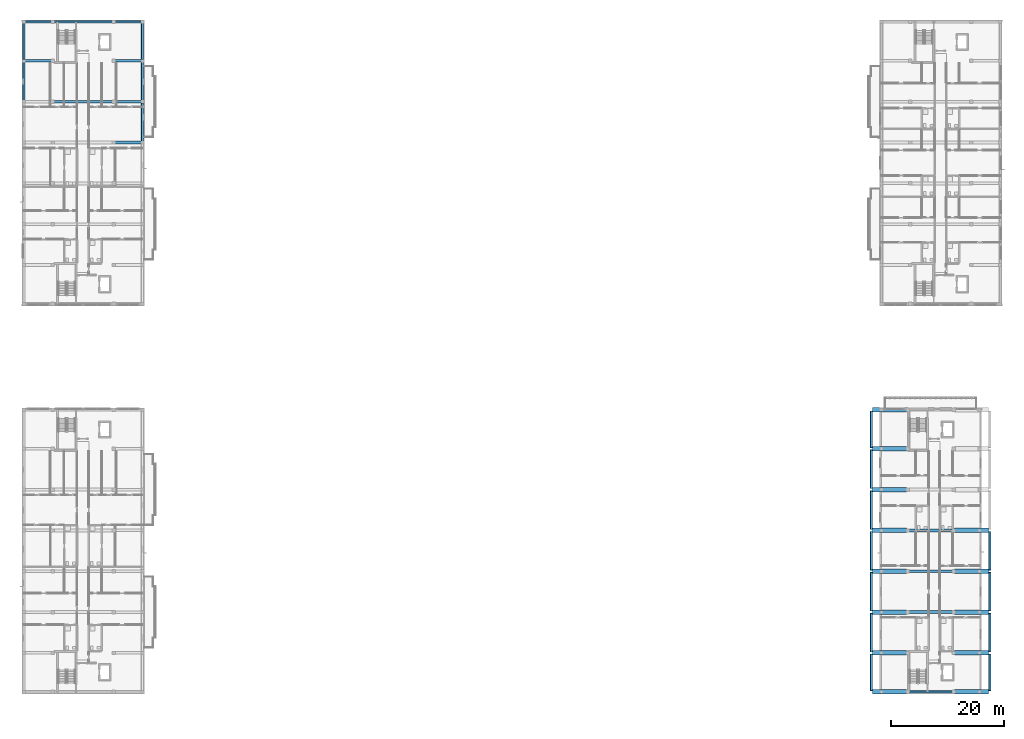
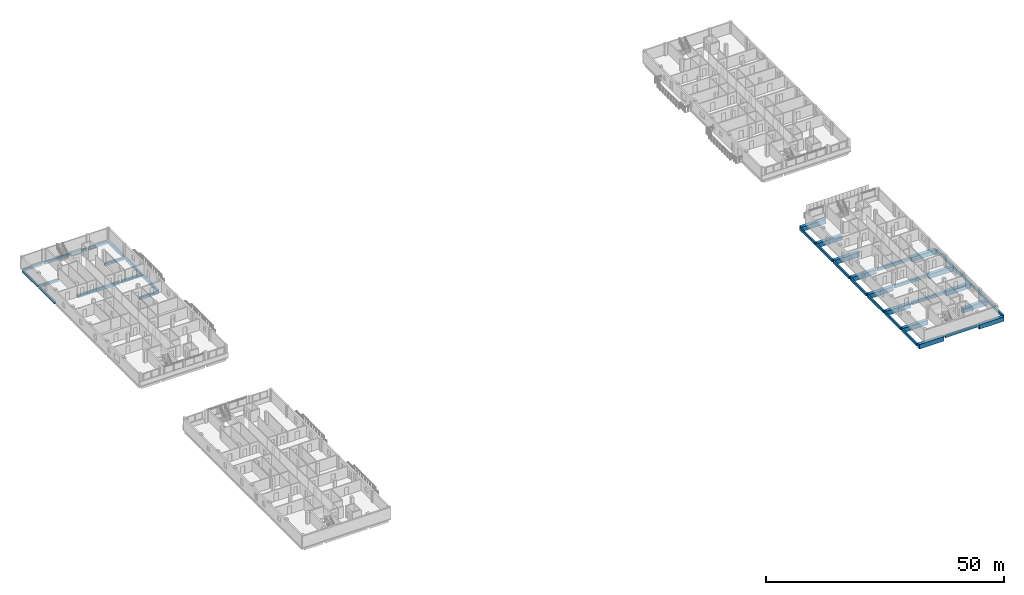
# One storey, part 6 of 41: 41 beams.
"""IFC4 building model written with IfcOpenShell, lengths in metres."""

from ifc_helpers import new_model, si_unit, derived_unit, direction, frame, origin, origin_2d, place, context, subcontext, project, spatial, rectangle, extrude, material, material_profile, profile_set, type_object, element, save


model = new_model("IFC4")

# Units and contexts
model_context = context("Model", 3, precision=1e-05, world=origin(), true_north=direction((0.0, 1.0)))
body_context = subcontext(model_context, "Body", "Model", "MODEL_VIEW")
ifc_project = project(units=[si_unit("LENGTHUNIT", "METRE"), si_unit("AREAUNIT", "SQUARE_METRE"), si_unit("VOLUMEUNIT", "CUBIC_METRE"), si_unit("PLANEANGLEUNIT", "RADIAN"), si_unit("MASSUNIT", "GRAM", prefix="KILO"), derived_unit("THERMALTRANSMITTANCEUNIT", [(si_unit("MASSUNIT", "GRAM", prefix="KILO"), 1), (si_unit("TIMEUNIT", "SECOND"), -3), (si_unit("THERMODYNAMICTEMPERATUREUNIT", "KELVIN"), -1)])], contexts=[model_context])

# Site, building, storey
site_placement = place(None, origin())
site = spatial("IfcSite", under=ifc_project, at=site_placement, CompositionType="ELEMENT")
building_placement = place(site_placement, origin())
building = spatial("IfcBuilding", under=site, at=building_placement, Name="Ochrekiln Boulevard Commons", CompositionType="ELEMENT")
storey_placement = place(building_placement, frame((0.0, 0.0, 21.52490234375)))
storey = spatial("IfcBuildingStorey", under=building, at=storey_placement, Name="L06", CompositionType="ELEMENT", Elevation=21.52490234375)

# Beams
ifc_material_1 = material(Name="Concrete C35/45", Category="concrete")
ifc_material_profile_1 = material_profile(ifc_material_1, rectangle(XDim=0.449951171875, YDim=0.64990234375, at=origin_2d()), Name="RC-BM-450x650")
ifc_profile_set_1 = profile_set([ifc_material_profile_1], Name="Concrete C35/45")
beam_type_1 = type_object("IfcBeamType", Name="BM-RC-450x650", PredefinedType="BEAM", material=ifc_profile_set_1)
for number, where, z_axis, x_axis, name in (
    (1, (16.409912109375, 97.199951171875, -0.5849609375), (1.0, 0.0, 0.0), (0.0, 1.0, 0.0), "Block A L06 Beam B-4565 X14"),
    (2, (16.409912109375, 104.39990234375, -0.5849609375), (1.0, 0.0, 0.0), (0.0, 1.0, 0.0), "Block A L06 Beam B-4565 X17"),
):
    element("IfcBeam", number, at=place(storey_placement, frame(where, z_axis=z_axis, x_axis=x_axis)), inside=storey, type_object=beam_type_1, Name=name, PredefinedType="BEAM", context=body_context, shape_type="SweptSolid", body=[
        extrude(rectangle(XDim=0.449951171875, YDim=0.64990234375, at=origin_2d()), origin(), (0.0, 0.0, 1.0), 4.630126953125),
    ])
beam_1_placement = place(storey_placement, frame((0.56005859375, 111.60009765625, -0.5849609375), z_axis=(1.0, 0.0, 0.0), x_axis=(0.0, 1.0, 0.0)))
element("IfcBeam", 3, at=beam_1_placement, inside=storey, type_object=beam_type_1, Name="Block A L06 Beam B-4565 X18", PredefinedType="BEAM", context=body_context, shape_type="SweptSolid", body=[
    extrude(rectangle(XDim=0.449951171875, YDim=0.64990234375, at=origin_2d()), origin(), (0.0, 0.0, 1.0), 4.6298828125),
])
beam_2_placement = place(storey_placement, frame((16.409912109375, 111.60009765625, -0.5849609375), z_axis=(1.0, 0.0, 0.0), x_axis=(0.0, 1.0, 0.0)))
element("IfcBeam", 4, at=beam_2_placement, inside=storey, type_object=beam_type_1, Name="Block A L06 Beam B-4565 X19", PredefinedType="BEAM", context=body_context, shape_type="SweptSolid", body=[
    extrude(rectangle(XDim=0.449951171875, YDim=0.64990234375, at=origin_2d()), origin(), (0.0, 0.0, 1.0), 4.630126953125),
])
ifc_material_2 = material(Name="Concrete C40/50", Category="concrete")
ifc_material_profile_2 = material_profile(ifc_material_2, rectangle(XDim=0.5, YDim=0.699951171875, at=origin_2d()), Name="RC-BM-500x700")
ifc_profile_set_2 = profile_set([ifc_material_profile_2], Name="Concrete C40/50")
beam_type_2 = type_object("IfcBeamType", Name="BM-RC-500x700", PredefinedType="BEAM", material=ifc_profile_set_2)
beam_3_placement = place(storey_placement, frame((5.610107421875, 104.39990234375, -0.60986328125), z_axis=(1.0, 0.0, 0.0), x_axis=(0.0, 1.0, 0.0)))
element("IfcBeam", 5, at=beam_3_placement, inside=storey, type_object=beam_type_2, Name="Block A L06 Beam B-5070 X16", PredefinedType="BEAM", context=body_context, shape_type="SweptSolid", body=[
    extrude(rectangle(XDim=0.5, YDim=0.699951171875, at=origin_2d()), origin(), (0.0, 0.0, 1.0), 10.3798828125),
])
for number, where, z_axis, x_axis, name in (
    (6, (156.360107421875, 14.39990234375, -0.60986328125), (1.0, 0.0, 0.0), (0.0, 1.0, 0.0), "Block C L06 Beam B-5070 X7"),
    (7, (156.360107421875, 21.60009765625, -0.60986328125), (1.0, 0.0, 0.0), (0.0, 1.0, 0.0), "Block C L06 Beam B-5070 X10"),
    (8, (156.360107421875, 28.800048828125, -0.60986328125), (1.0, 0.0, 0.0), (0.0, 1.0, 0.0), "Block C L06 Beam B-5070 X13"),
):
    element("IfcBeam", number, at=place(storey_placement, frame(where, z_axis=z_axis, x_axis=x_axis)), inside=storey, type_object=beam_type_2, Name=name, PredefinedType="BEAM", context=body_context, shape_type="SweptSolid", body=[
        extrude(rectangle(XDim=0.5, YDim=0.699951171875, at=origin_2d()), origin(), (0.0, 0.0, 1.0), 7.679931640625),
    ])
ifc_material_profile_3 = material_profile(ifc_material_2, rectangle(XDim=0.800048828125, YDim=1.14990234375, at=origin_2d()), Name="RC-TRG-800x1150")
ifc_profile_set_3 = profile_set([ifc_material_profile_3], Name="Concrete C40/50")
beam_type_3 = type_object("IfcBeamType", Name="BM-TRG-800x1150", PredefinedType="BEAM", material=ifc_profile_set_3)
for number, where, z_axis, x_axis, name in (
    (9, (149.9599609375, 0.35009765625, -0.8349609375), (1.0, 0.0, 0.0), (0.0, 1.0, 0.0), "Block C L06 Beam TG-01 X1"),
    (10, (164.4599609375, 0.35009765625, -0.8349609375), (1.0, 0.0, 0.0), (0.0, 1.0, 0.0), "Block C L06 Beam TG-01 X3"),
    (11, (149.9599609375, 7.199951171875, -0.8349609375), (1.0, 0.0, 0.0), (0.0, 1.0, 0.0), "Block C L06 Beam TG-01 X4"),
    (12, (164.4599609375, 7.199951171875, -0.8349609375), (1.0, 0.0, 0.0), (0.0, 1.0, 0.0), "Block C L06 Beam TG-01 X5"),
    (13, (149.9599609375, 14.39990234375, -0.8349609375), (1.0, 0.0, 0.0), (0.0, 1.0, 0.0), "Block C L06 Beam TG-01 X6"),
    (14, (164.4599609375, 14.39990234375, -0.8349609375), (1.0, 0.0, 0.0), (0.0, 1.0, 0.0), "Block C L06 Beam TG-01 X8"),
    (15, (149.9599609375, 21.60009765625, -0.8349609375), (1.0, 0.0, 0.0), (0.0, 1.0, 0.0), "Block C L06 Beam TG-01 X9"),
    (16, (164.4599609375, 21.60009765625, -0.8349609375), (1.0, 0.0, 0.0), (0.0, 1.0, 0.0), "Block C L06 Beam TG-01 X11"),
    (17, (149.9599609375, 28.800048828125, -0.8349609375), (1.0, 0.0, 0.0), (0.0, 1.0, 0.0), "Block C L06 Beam TG-01 X12"),
    (18, (164.4599609375, 28.800048828125, -0.8349609375), (1.0, 0.0, 0.0), (0.0, 1.0, 0.0), "Block C L06 Beam TG-01 X14"),
    (19, (149.9599609375, 36.0, -0.8349609375), (1.0, 0.0, 0.0), (0.0, 1.0, 0.0), "Block C L06 Beam TG-01 X15"),
    (20, (149.9599609375, 43.199951171875, -0.8349609375), (1.0, 0.0, 0.0), (0.0, 1.0, 0.0), "Block C L06 Beam TG-01 X18"),
    (21, (149.9599609375, 50.050048828125, -0.8349609375), (1.0, 0.0, 0.0), (0.0, 1.0, 0.0), "Block C L06 Beam TG-01 X20"),
):
    element("IfcBeam", number, at=place(storey_placement, frame(where, z_axis=z_axis, x_axis=x_axis)), inside=storey, type_object=beam_type_3, Name=name, PredefinedType="BEAM", context=body_context, shape_type="SweptSolid", body=[
        extrude(rectangle(XDim=0.800048828125, YDim=1.14990234375, at=origin_2d()), origin(), (0.0, 0.0, 1.0), 5.97998046875),
    ])
ifc_material_profile_4 = material_profile(ifc_material_2, rectangle(XDim=0.35009765625, YDim=0.64990234375, at=origin_2d()), Name="RC-SPN-350x650")
ifc_profile_set_4 = profile_set([ifc_material_profile_4], Name="Concrete C40/50")
beam_type_4 = type_object("IfcBeamType", Name="SPN-RC-350x650", PredefinedType="SPANDREL", material=ifc_profile_set_4)
beam_4_placement = place(storey_placement, frame((0.56005859375, 118.449951171875, -0.5849609375), z_axis=(1.0, 0.0, 0.0), x_axis=(0.0, 1.0, 0.0)))
element("IfcBeam", 22, at=beam_4_placement, inside=storey, type_object=beam_type_4, Name="Block A L06 Beam SP-3565 X20", PredefinedType="SPANDREL", context=body_context, shape_type="SweptSolid", body=[
    extrude(rectangle(XDim=0.35009765625, YDim=0.64990234375, at=origin_2d()), origin(), (0.0, 0.0, 1.0), 4.6298828125),
])
beam_5_placement = place(storey_placement, frame((5.610107421875, 118.449951171875, -0.5849609375), z_axis=(1.0, 0.0, 0.0), x_axis=(0.0, 1.0, 0.0)))
element("IfcBeam", 23, at=beam_5_placement, inside=storey, type_object=beam_type_4, Name="Block A L06 Beam SP-3565 X21", PredefinedType="SPANDREL", context=body_context, shape_type="SweptSolid", body=[
    extrude(rectangle(XDim=0.35009765625, YDim=0.64990234375, at=origin_2d()), origin(), (0.0, 0.0, 1.0), 10.3798828125),
])
beam_6_placement = place(storey_placement, frame((16.409912109375, 118.449951171875, -0.5849609375), z_axis=(1.0, 0.0, 0.0), x_axis=(0.0, 1.0, 0.0)))
element("IfcBeam", 24, at=beam_6_placement, inside=storey, type_object=beam_type_4, Name="Block A L06 Beam SP-3565 X22", PredefinedType="SPANDREL", context=body_context, shape_type="SweptSolid", body=[
    extrude(rectangle(XDim=0.35009765625, YDim=0.64990234375, at=origin_2d()), origin(), (0.0, 0.0, 1.0), 4.630126953125),
])
beam_7_placement = place(storey_placement, frame((0.35009765625, 104.610107421875, -0.5849609375), z_axis=(0.0, 1.0, 0.0), x_axis=(-1.0, 0.0, 0.0)))
element("IfcBeam", 25, at=beam_7_placement, inside=storey, type_object=beam_type_4, Name="Block A L06 Beam SP-3565 Y28", PredefinedType="SPANDREL", context=body_context, shape_type="SweptSolid", body=[
    extrude(rectangle(XDim=0.35009765625, YDim=0.64990234375, at=origin_2d()), origin(), (0.0, 0.0, 1.0), 6.77978515625),
])
beam_8_placement = place(storey_placement, frame((0.35009765625, 111.81005859375, -0.5849609375), z_axis=(0.0, 1.0, 0.0), x_axis=(-1.0, 0.0, 0.0)))
element("IfcBeam", 26, at=beam_8_placement, inside=storey, type_object=beam_type_4, Name="Block A L06 Beam SP-3565 Y29", PredefinedType="SPANDREL", context=body_context, shape_type="SweptSolid", body=[
    extrude(rectangle(XDim=0.35009765625, YDim=0.64990234375, at=origin_2d()), origin(), (0.0, 0.0, 1.0), 6.429931640625),
])
beam_9_placement = place(storey_placement, frame((21.25, 97.409912109375, -0.5849609375), z_axis=(0.0, 1.0, 0.0), x_axis=(-1.0, 0.0, 0.0)))
element("IfcBeam", 27, at=beam_9_placement, inside=storey, type_object=beam_type_4, Name="Block A L06 Beam SP-3565 Y34", PredefinedType="SPANDREL", context=body_context, shape_type="SweptSolid", body=[
    extrude(rectangle(XDim=0.35009765625, YDim=0.64990234375, at=origin_2d()), origin(), (0.0, 0.0, 1.0), 6.780029296875),
])
beam_10_placement = place(storey_placement, frame((21.25, 104.610107421875, -0.5849609375), z_axis=(0.0, 1.0, 0.0), x_axis=(-1.0, 0.0, 0.0)))
element("IfcBeam", 28, at=beam_10_placement, inside=storey, type_object=beam_type_4, Name="Block A L06 Beam SP-3565 Y35", PredefinedType="SPANDREL", context=body_context, shape_type="SweptSolid", body=[
    extrude(rectangle(XDim=0.35009765625, YDim=0.64990234375, at=origin_2d()), origin(), (0.0, 0.0, 1.0), 6.77978515625),
])
beam_11_placement = place(storey_placement, frame((21.25, 111.81005859375, -0.5849609375), z_axis=(0.0, 1.0, 0.0), x_axis=(-1.0, 0.0, 0.0)))
element("IfcBeam", 29, at=beam_11_placement, inside=storey, type_object=beam_type_4, Name="Block A L06 Beam SP-3565 Y36", PredefinedType="SPANDREL", context=body_context, shape_type="SweptSolid", body=[
    extrude(rectangle(XDim=0.35009765625, YDim=0.64990234375, at=origin_2d()), origin(), (0.0, 0.0, 1.0), 6.429931640625),
])
beam_12_placement = place(storey_placement, frame((156.360107421875, 0.35009765625, -0.5849609375), z_axis=(1.0, 0.0, 0.0), x_axis=(0.0, 1.0, 0.0)))
element("IfcBeam", 30, at=beam_12_placement, inside=storey, type_object=beam_type_4, Name="Block C L06 Beam SP-3565 X2", PredefinedType="SPANDREL", context=body_context, shape_type="SweptSolid", body=[
    extrude(rectangle(XDim=0.35009765625, YDim=0.64990234375, at=origin_2d()), origin(), (0.0, 0.0, 1.0), 7.679931640625),
])
beam_13_placement = place(storey_placement, frame((149.75, 0.56005859375, -0.5849609375), z_axis=(0.0, 1.0, 0.0), x_axis=(-1.0, 0.0, 0.0)))
element("IfcBeam", 31, at=beam_13_placement, inside=storey, type_object=beam_type_4, Name="Block C L06 Beam SP-3565 Y23", PredefinedType="SPANDREL", context=body_context, shape_type="SweptSolid", body=[
    extrude(rectangle(XDim=0.35009765625, YDim=0.64990234375, at=origin_2d()), origin(), (0.0, 0.0, 1.0), 6.429931640625),
])
beam_14_placement = place(storey_placement, frame((149.75, 7.409912109375, -0.5849609375), z_axis=(0.0, 1.0, 0.0), x_axis=(-1.0, 0.0, 0.0)))
element("IfcBeam", 32, at=beam_14_placement, inside=storey, type_object=beam_type_4, Name="Block C L06 Beam SP-3565 Y24", PredefinedType="SPANDREL", context=body_context, shape_type="SweptSolid", body=[
    extrude(rectangle(XDim=0.35009765625, YDim=0.64990234375, at=origin_2d()), origin(), (0.0, 0.0, 1.0), 6.780029296875),
])
beam_15_placement = place(storey_placement, frame((149.75, 14.610107421875, -0.5849609375), z_axis=(0.0, 1.0, 0.0), x_axis=(-1.0, 0.0, 0.0)))
element("IfcBeam", 33, at=beam_15_placement, inside=storey, type_object=beam_type_4, Name="Block C L06 Beam SP-3565 Y25", PredefinedType="SPANDREL", context=body_context, shape_type="SweptSolid", body=[
    extrude(rectangle(XDim=0.35009765625, YDim=0.64990234375, at=origin_2d()), origin(), (0.0, 0.0, 1.0), 6.77978515625),
])
for number, where, z_axis, x_axis, name in (
    (34, (149.75, 21.81005859375, -0.5849609375), (0.0, 1.0, 0.0), (-1.0, 0.0, 0.0), "Block C L06 Beam SP-3565 Y26"),
    (35, (149.75, 29.010009765625, -0.5849609375), (0.0, 1.0, 0.0), (-1.0, 0.0, 0.0), "Block C L06 Beam SP-3565 Y27"),
    (36, (149.75, 36.2099609375, -0.5849609375), (0.0, 1.0, 0.0), (-1.0, 0.0, 0.0), "Block C L06 Beam SP-3565 Y28"),
):
    element("IfcBeam", number, at=place(storey_placement, frame(where, z_axis=z_axis, x_axis=x_axis)), inside=storey, type_object=beam_type_4, Name=name, PredefinedType="SPANDREL", context=body_context, shape_type="SweptSolid", body=[
        extrude(rectangle(XDim=0.35009765625, YDim=0.64990234375, at=origin_2d()), origin(), (0.0, 0.0, 1.0), 6.780029296875),
    ])
beam_16_placement = place(storey_placement, frame((149.75, 43.409912109375, -0.5849609375), z_axis=(0.0, 1.0, 0.0), x_axis=(-1.0, 0.0, 0.0)))
element("IfcBeam", 37, at=beam_16_placement, inside=storey, type_object=beam_type_4, Name="Block C L06 Beam SP-3565 Y29", PredefinedType="SPANDREL", context=body_context, shape_type="SweptSolid", body=[
    extrude(rectangle(XDim=0.35009765625, YDim=0.64990234375, at=origin_2d()), origin(), (0.0, 0.0, 1.0), 6.43017578125),
])
beam_17_placement = place(storey_placement, frame((170.64990234375, 0.56005859375, -0.5849609375), z_axis=(0.0, 1.0, 0.0), x_axis=(-1.0, 0.0, 0.0)))
element("IfcBeam", 38, at=beam_17_placement, inside=storey, type_object=beam_type_4, Name="Block C L06 Beam SP-3565 Y30", PredefinedType="SPANDREL", context=body_context, shape_type="SweptSolid", body=[
    extrude(rectangle(XDim=0.35009765625, YDim=0.64990234375, at=origin_2d()), origin(), (0.0, 0.0, 1.0), 6.429931640625),
])
beam_18_placement = place(storey_placement, frame((170.64990234375, 7.409912109375, -0.5849609375), z_axis=(0.0, 1.0, 0.0), x_axis=(-1.0, 0.0, 0.0)))
element("IfcBeam", 39, at=beam_18_placement, inside=storey, type_object=beam_type_4, Name="Block C L06 Beam SP-3565 Y31", PredefinedType="SPANDREL", context=body_context, shape_type="SweptSolid", body=[
    extrude(rectangle(XDim=0.35009765625, YDim=0.64990234375, at=origin_2d()), origin(), (0.0, 0.0, 1.0), 6.780029296875),
])
beam_19_placement = place(storey_placement, frame((170.64990234375, 14.610107421875, -0.5849609375), z_axis=(0.0, 1.0, 0.0), x_axis=(-1.0, 0.0, 0.0)))
element("IfcBeam", 40, at=beam_19_placement, inside=storey, type_object=beam_type_4, Name="Block C L06 Beam SP-3565 Y32", PredefinedType="SPANDREL", context=body_context, shape_type="SweptSolid", body=[
    extrude(rectangle(XDim=0.35009765625, YDim=0.64990234375, at=origin_2d()), origin(), (0.0, 0.0, 1.0), 6.77978515625),
])
beam_20_placement = place(storey_placement, frame((170.64990234375, 21.81005859375, -0.5849609375), z_axis=(0.0, 1.0, 0.0), x_axis=(-1.0, 0.0, 0.0)))
element("IfcBeam", 41, at=beam_20_placement, inside=storey, type_object=beam_type_4, Name="Block C L06 Beam SP-3565 Y33", PredefinedType="SPANDREL", context=body_context, shape_type="SweptSolid", body=[
    extrude(rectangle(XDim=0.35009765625, YDim=0.64990234375, at=origin_2d()), origin(), (0.0, 0.0, 1.0), 6.780029296875),
])

save(model, "model.ifc")
